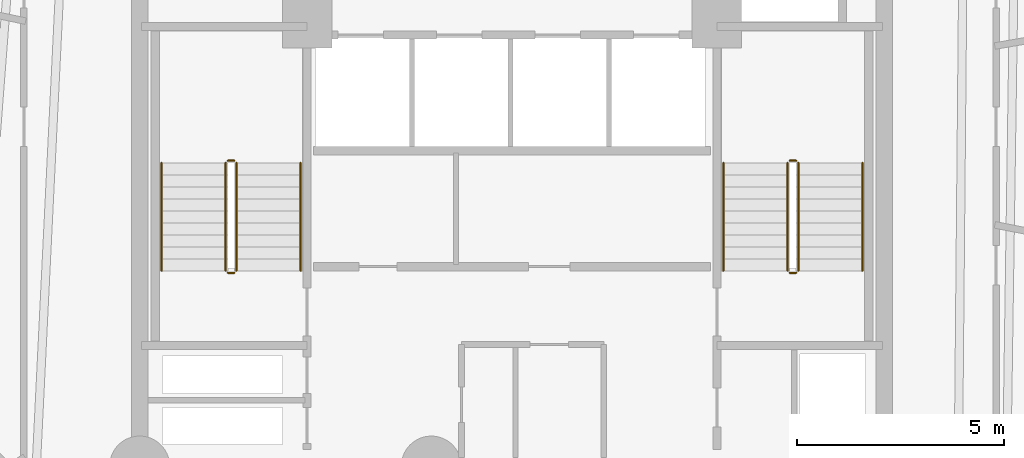
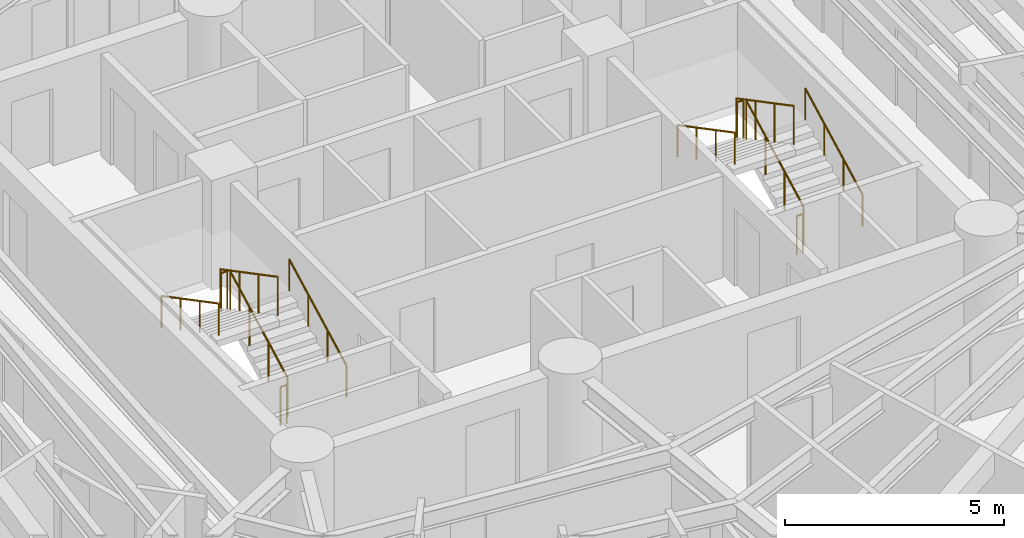
# One storey, part 8 of 8: 12 railings.
"""IFC4 building model written with IfcOpenShell, lengths in metres."""

import ifcopenshell
import ifcopenshell.guid

model = None  # the IFC model being written
_history = None  # IfcOwnerHistory: only IFC2X3 demands one
_inside = {}  # id of a spatial element -> (the spatial element, [elements in it])
_under = {}  # id of a project, library or spatial element -> (it, [spatial elements below it])
_declared = {}  # id of a project -> (the project, [libraries it declares])
_typed = {}  # id of a type object -> (the type object, [elements of that type])
_made_of = {}  # id of a material, layer set ... -> (it, [elements and type objects made of it])


def new_model(schema):
    """Start an empty IFC model of exactly this schema.

    Asked for "IFC4X3", IfcOpenShell would pick the latest addendum, in which some entities
    have other attributes; the version numbers below select the first issue.
    IFC2X3 requires an IfcOwnerHistory on every rooted entity: one is made here for all.
    """
    global model, _history
    if schema == "IFC4X3":
        model = ifcopenshell.file(schema_version=(4, 3, 0, 0))
    else:
        model = ifcopenshell.file(schema=schema)
    _inside.clear()
    _under.clear()
    _declared.clear()
    _typed.clear()
    _made_of.clear()
    _history = None
    if model.schema == "IFC2X3":
        org = make("IfcOrganization", Name="unknown")
        user = make(
            "IfcPersonAndOrganization",
            ThePerson=make("IfcPerson", FamilyName="unknown"),
            TheOrganization=org,
        )
        app = make(
            "IfcApplication",
            ApplicationDeveloper=org,
            Version="unknown",
            ApplicationFullName="unknown",
            ApplicationIdentifier="unknown",
        )
        _history = make(
            "IfcOwnerHistory",
            OwningUser=user,
            OwningApplication=app,
            ChangeAction="ADDED",
            CreationDate=0,
        )
    return model


def make(cls, **values):
    """One entity of the class cls with the attributes given. An attribute that is None is left unset."""
    return model.create_entity(
        cls, **{name: value for name, value in values.items() if value is not None}
    )


def rooted(cls, **values):
    """An entity with a GlobalId (a new one), such as an element, a storey or a relation."""
    return make(cls, GlobalId=ifcopenshell.guid.new(), OwnerHistory=_history, **values)


def si_unit(unit_type, name, prefix=None):
    """IfcSIUnit, for example si_unit("LENGTHUNIT", "METRE", prefix="MILLI")."""
    return make("IfcSIUnit", UnitType=unit_type, Prefix=prefix, Name=name)


def assignment(units):
    """IfcUnitAssignment: the units of a project."""
    return None if units is None else make("IfcUnitAssignment", Units=units)


def point(xyz):
    """IfcCartesianPoint."""
    return None if xyz is None else make("IfcCartesianPoint", Coordinates=xyz)


def direction(xyz):
    """IfcDirection."""
    return None if xyz is None else make("IfcDirection", DirectionRatios=xyz)


def frame(location, z_axis=None, x_axis=None):
    """IfcAxis2Placement3D, a coordinate frame: its origin and axes. An axis left out is left unset."""
    return make(
        "IfcAxis2Placement3D",
        Location=point(location),
        Axis=direction(z_axis),
        RefDirection=direction(x_axis),
    )


def frame_2d(location, x_axis=None):
    """IfcAxis2Placement2D, a coordinate frame in the plane: its origin and x axis."""
    return make(
        "IfcAxis2Placement2D", Location=point(location), RefDirection=direction(x_axis)
    )


def origin():
    """The frame at (0, 0, 0) with its axes left unset."""
    return frame((0.0, 0.0, 0.0))


def origin_2d():
    """The frame at (0, 0) in the plane with its x axis left unset."""
    return frame_2d((0.0, 0.0))


def place(relative_to, where):
    """IfcLocalPlacement: puts the frame where relative to a parent placement (None: the world)."""
    return make(
        "IfcLocalPlacement", PlacementRelTo=relative_to, RelativePlacement=where
    )


def context(
    kind, dimensions, precision=None, world=None, true_north=None, identifier=None
):
    """IfcGeometricRepresentationContext, for example the 3D "Model" context."""
    return make(
        "IfcGeometricRepresentationContext",
        ContextIdentifier=identifier,
        ContextType=kind,
        CoordinateSpaceDimension=dimensions,
        Precision=precision,
        WorldCoordinateSystem=world,
        TrueNorth=true_north,
    )


def subcontext(parent, identifier, kind, view, scale=None):
    """IfcGeometricRepresentationSubContext, for example "Body" below "Model"."""
    return make(
        "IfcGeometricRepresentationSubContext",
        ContextIdentifier=identifier,
        ContextType=kind,
        ParentContext=parent,
        TargetScale=scale,
        TargetView=view,
    )


def project(units=None, contexts=None):
    """IfcProject with its units and contexts."""
    return rooted(
        "IfcProject",
        Name="project",
        RepresentationContexts=contexts,
        UnitsInContext=assignment(units),
    )


def spatial(cls, under=None, at=None, **own):
    """A site, building, storey or space (cls), placed at a placement, below another one or the project."""
    s = rooted(cls, ObjectPlacement=at, **own)
    if under is not None:
        _under.setdefault(under.id(), (under, []))[1].append(s)
    return s


def profile(cls, at=None, kind="AREA", **sizes):
    """A parametric profile (cls). Its sizes go by their IFC names, for example OverallWidth=200.0."""
    return make(cls, ProfileType=kind, Position=at, **sizes)


def circle(**sizes):
    """IfcCircleProfileDef."""
    return profile("IfcCircleProfileDef", **sizes)


def extrude(swept, where, along, depth):
    """IfcExtrudedAreaSolid: the profile swept, set in the frame where, extruded along a direction by depth."""
    return make(
        "IfcExtrudedAreaSolid",
        SweptArea=swept,
        Position=where,
        ExtrudedDirection=direction(along),
        Depth=depth,
    )


def shape(context_of_items, identifier, shape_type, items):
    """IfcShapeRepresentation: the items that make up one representation, for example the "Body"."""
    return make(
        "IfcShapeRepresentation",
        ContextOfItems=context_of_items,
        RepresentationIdentifier=identifier,
        RepresentationType=shape_type,
        Items=items,
    )


def material(Name=None, Category=None):
    """IfcMaterial."""
    return make("IfcMaterial", Name=Name, Category=Category)


def layer(
    of_material, thickness, ventilated=None, Name=None, Category=None, Priority=None
):
    """IfcMaterialLayer: one layer of a wall or slab, of a material (None: an air gap)."""
    return make(
        "IfcMaterialLayer",
        Material=of_material,
        LayerThickness=thickness,
        IsVentilated=ventilated,
        Name=Name,
        Category=Category,
        Priority=Priority,
    )


def layer_set(layers, Name=None):
    """IfcMaterialLayerSet."""
    return make("IfcMaterialLayerSet", MaterialLayers=layers, LayerSetName=Name)


def made_of(thing, what):
    """Note that an element or type object is made of a material, layer set ...; save() writes the relation."""
    if what is not None:
        _made_of.setdefault(what.id(), (what, []))[1].append(thing)
    return thing


def type_object(cls, material=None, **own):
    """A type object (cls), such as IfcWallType, which elements share."""
    return made_of(rooted(cls, **own), material)


def element(
    cls,
    number,
    at=None,
    inside=None,
    cuts=None,
    type_object=None,
    material=None,
    context=None,
    identifier="Body",
    shape_type=None,
    held_by="IfcProductDefinitionShape",
    body=None,
    shapes=None,
    **own,
):
    """One element of the class cls, such as IfcWall. Its Tag is "e" and its number.

    at: its placement. inside: the storey or other place that contains it. cuts: it is an
    opening in that element (IfcRelVoidsElement). A single representation is given by context,
    identifier, shape_type and body (its items); several are given by shapes. held_by: the class
    of the entity that holds the representations. save() writes the other relations.
    """
    e = rooted(cls, Tag="e%d" % number, ObjectPlacement=at, **own)
    if body is not None:
        shapes = [shape(context, identifier, shape_type, body)]
    if shapes is not None:
        e.Representation = make(held_by, Representations=shapes)
    if inside is not None:
        _inside.setdefault(inside.id(), (inside, []))[1].append(e)
    if cuts is not None:
        rooted(
            "IfcRelVoidsElement", RelatingBuildingElement=cuts, RelatedOpeningElement=e
        )
    if type_object is not None:
        _typed.setdefault(type_object.id(), (type_object, []))[1].append(e)
    return made_of(e, material)


def aggregate(whole, parts):
    """IfcRelAggregates: a whole, such as a stair, and the parts it consists of."""
    return rooted("IfcRelAggregates", RelatingObject=whole, RelatedObjects=parts)


def save(model, path):
    """Write the relations noted so far, then the file.

    IfcRelAggregates (storeys below a building ...), IfcRelContainedInSpatialStructure (elements
    in a storey), IfcRelDefinesByType, IfcRelAssociatesMaterial and IfcRelDeclares: one each for
    every whole, place, type object, material and project.
    """
    for whole, parts in _under.values():
        aggregate(whole, parts)
    for where, things in _inside.values():
        rooted(
            "IfcRelContainedInSpatialStructure",
            RelatedElements=things,
            RelatingStructure=where,
        )
    for kind, things in _typed.values():
        rooted("IfcRelDefinesByType", RelatedObjects=things, RelatingType=kind)
    for what, things in _made_of.values():
        rooted("IfcRelAssociatesMaterial", RelatedObjects=things, RelatingMaterial=what)
    for by, libraries in _declared.values():
        rooted("IfcRelDeclares", RelatingContext=by, RelatedDefinitions=libraries)
    model.write(path)


model = new_model("IFC4")

# Units and contexts
model_context = context("Model", 3, precision=1e-05, world=origin(), true_north=direction((0.0, 1.0)))
body_context = subcontext(model_context, "Body", "Model", "MODEL_VIEW")
ifc_project = project(units=[si_unit("LENGTHUNIT", "METRE"), si_unit("AREAUNIT", "SQUARE_METRE"), si_unit("VOLUMEUNIT", "CUBIC_METRE"), si_unit("PLANEANGLEUNIT", "RADIAN"), si_unit("MASSUNIT", "GRAM", prefix="KILO")], contexts=[model_context])

# Site, building, storey
site_placement = place(None, origin())
site = spatial("IfcSite", under=ifc_project, at=site_placement, CompositionType="ELEMENT")
building_placement = place(site_placement, origin())
building = spatial("IfcBuilding", under=site, at=building_placement, Name="Karkom Vertical University and Central Library", CompositionType="ELEMENT")
storey_placement = place(building_placement, frame((0.0, 0.0, 117.550048828125)))
storey = spatial("IfcBuildingStorey", under=building, at=storey_placement, Name="L32", CompositionType="ELEMENT", Elevation=117.550048828125)

# Railings
ifc_material_1 = material(Name="Painted galvanised steel balustrade", Category="steel")
ifc_layer_1 = layer(ifc_material_1, 0.06005859375)
ifc_layer_set_1 = layer_set([ifc_layer_1], Name="Painted galvanised steel balustrade")
railing_type_1 = type_object("IfcRailingType", Name="INT-RL-GUARD1100", PredefinedType="GUARDRAIL", material=ifc_layer_set_1)
railing_1_placement = place(storey_placement, frame((21.840087890625, 23.02001953125, 0.15234375)))
element("IfcRailing", 1, at=railing_1_placement, inside=storey, type_object=railing_type_1, Name="Level 32 ST-1 stair guard 1", PredefinedType="GUARDRAIL", context=body_context, shape_type="SweptSolid", body=[
    extrude(circle(Radius=0.02392578125, at=origin_2d()), frame((0.0, 0.0, 1.076171875), z_axis=(0.0, 0.885065446896, 0.46546659892), x_axis=(-1.0, 0.0, 0.0)), (0.0, 0.0, 1.0), 2.94873046875),
    extrude(circle(Radius=0.02099609375, at=origin_2d()), origin(), (0.0, 0.0, 1.0), 1.052001953125),
    extrude(circle(Radius=0.02099609375, at=origin_2d()), frame((0.0, 0.869873046875, 0.45751953125)), (0.0, 0.0, 1.0), 1.052001953125),
    extrude(circle(Radius=0.02099609375, at=origin_2d()), frame((0.0, 1.739990234375, 0.9150390625)), (0.0, 0.0, 1.0), 1.052001953125),
    extrude(circle(Radius=0.02099609375, at=origin_2d()), frame((0.0, 2.60986328125, 1.37255859375)), (0.0, 0.0, 1.0), 1.052001953125),
])
railing_2_placement = place(storey_placement, frame((21.7900390625, 25.679931640625, 1.52490234375)))
element("IfcRailing", 2, at=railing_2_placement, inside=storey, type_object=railing_type_1, Name="Level 32 ST-1 stair guard 2", PredefinedType="GUARDRAIL", context=body_context, shape_type="SweptSolid", body=[
    extrude(circle(Radius=0.02392578125, at=origin_2d()), frame((0.0, 0.0, 1.076171875), z_axis=(-1.0, 0.0, 0.0), x_axis=(0.0, -1.0, 0.0)), (0.0, 0.0, 1.0), 0.16015625),
    extrude(circle(Radius=0.02099609375, at=origin_2d()), origin(), (0.0, 0.0, 1.0), 1.052001953125),
    extrude(circle(Radius=0.02099609375, at=origin_2d()), frame((-0.16015625, 0.0, 0.0)), (0.0, 0.0, 1.0), 1.052001953125),
])
railing_3_placement = place(storey_placement, frame((21.580078125, 25.6298828125, 1.677490234375)))
element("IfcRailing", 3, at=railing_3_placement, inside=storey, type_object=railing_type_1, Name="Level 32 ST-1 stair guard 3", PredefinedType="GUARDRAIL", context=body_context, shape_type="SweptSolid", body=[
    extrude(circle(Radius=0.02392578125, at=origin_2d()), frame((0.0, 0.0, 1.076171875), z_axis=(0.0, -0.885065446896, 0.46546659892), x_axis=(1.0, 0.0, 0.0)), (0.0, 0.0, 1.0), 2.94873046875),
    extrude(circle(Radius=0.02099609375, at=origin_2d()), origin(), (0.0, 0.0, 1.0), 1.052001953125),
    extrude(circle(Radius=0.02099609375, at=origin_2d()), frame((0.0, -0.869873046875, 0.45751953125)), (0.0, 0.0, 1.0), 1.052001953125),
    extrude(circle(Radius=0.02099609375, at=origin_2d()), frame((0.0, -1.739990234375, 0.9150390625)), (0.0, 0.0, 1.0), 1.052001953125),
    extrude(circle(Radius=0.02099609375, at=origin_2d()), frame((0.0, -2.60986328125, 1.37255859375)), (0.0, 0.0, 1.0), 1.052001953125),
])
railing_4_placement = place(storey_placement, frame((21.7900390625, 22.969970703125, 0.0)))
element("IfcRailing", 4, at=railing_4_placement, inside=storey, type_object=railing_type_1, Name="Level 32 ST-1 stair guard 4", PredefinedType="GUARDRAIL", context=body_context, shape_type="SweptSolid", body=[
    extrude(circle(Radius=0.02392578125, at=origin_2d()), frame((0.0, 0.0, 1.076171875), z_axis=(-1.0, 0.0, 0.0), x_axis=(0.0, -1.0, 0.0)), (0.0, 0.0, 1.0), 0.16015625),
    extrude(circle(Radius=0.02099609375, at=origin_2d()), origin(), (0.0, 0.0, 1.0), 1.052001953125),
    extrude(circle(Radius=0.02099609375, at=origin_2d()), frame((-0.16015625, 0.0, 0.0)), (0.0, 0.0, 1.0), 1.052001953125),
])
railing_5_placement = place(storey_placement, frame((35.419921875, 23.02001953125, 0.15234375)))
element("IfcRailing", 5, at=railing_5_placement, inside=storey, type_object=railing_type_1, Name="Level 32 ST-2 stair guard 1", PredefinedType="GUARDRAIL", context=body_context, shape_type="SweptSolid", body=[
    extrude(circle(Radius=0.02392578125, at=origin_2d()), frame((0.0, 0.0, 1.076171875), z_axis=(0.0, 0.885065446896, 0.46546659892), x_axis=(-1.0, 0.0, 0.0)), (0.0, 0.0, 1.0), 2.94873046875),
    extrude(circle(Radius=0.02099609375, at=origin_2d()), origin(), (0.0, 0.0, 1.0), 1.052001953125),
    extrude(circle(Radius=0.02099609375, at=origin_2d()), frame((0.0, 0.869873046875, 0.45751953125)), (0.0, 0.0, 1.0), 1.052001953125),
    extrude(circle(Radius=0.02099609375, at=origin_2d()), frame((0.0, 1.739990234375, 0.9150390625)), (0.0, 0.0, 1.0), 1.052001953125),
    extrude(circle(Radius=0.02099609375, at=origin_2d()), frame((0.0, 2.60986328125, 1.37255859375)), (0.0, 0.0, 1.0), 1.052001953125),
])
railing_6_placement = place(storey_placement, frame((35.3701171875, 25.679931640625, 1.52490234375)))
element("IfcRailing", 6, at=railing_6_placement, inside=storey, type_object=railing_type_1, Name="Level 32 ST-2 stair guard 2", PredefinedType="GUARDRAIL", context=body_context, shape_type="SweptSolid", body=[
    extrude(circle(Radius=0.02392578125, at=origin_2d()), frame((0.0, 0.0, 1.076171875), z_axis=(-1.0, 0.0, 0.0), x_axis=(0.0, -1.0, 0.0)), (0.0, 0.0, 1.0), 0.16015625),
    extrude(circle(Radius=0.02099609375, at=origin_2d()), origin(), (0.0, 0.0, 1.0), 1.052001953125),
    extrude(circle(Radius=0.02099609375, at=origin_2d()), frame((-0.16015625, 0.0, 0.0)), (0.0, 0.0, 1.0), 1.052001953125),
])
railing_7_placement = place(storey_placement, frame((35.159912109375, 25.6298828125, 1.677490234375)))
element("IfcRailing", 7, at=railing_7_placement, inside=storey, type_object=railing_type_1, Name="Level 32 ST-2 stair guard 3", PredefinedType="GUARDRAIL", context=body_context, shape_type="SweptSolid", body=[
    extrude(circle(Radius=0.02392578125, at=origin_2d()), frame((0.0, 0.0, 1.076171875), z_axis=(0.0, -0.885065446896, 0.46546659892), x_axis=(1.0, 0.0, 0.0)), (0.0, 0.0, 1.0), 2.94873046875),
    extrude(circle(Radius=0.02099609375, at=origin_2d()), origin(), (0.0, 0.0, 1.0), 1.052001953125),
    extrude(circle(Radius=0.02099609375, at=origin_2d()), frame((0.0, -0.869873046875, 0.45751953125)), (0.0, 0.0, 1.0), 1.052001953125),
    extrude(circle(Radius=0.02099609375, at=origin_2d()), frame((0.0, -1.739990234375, 0.9150390625)), (0.0, 0.0, 1.0), 1.052001953125),
    extrude(circle(Radius=0.02099609375, at=origin_2d()), frame((0.0, -2.60986328125, 1.37255859375)), (0.0, 0.0, 1.0), 1.052001953125),
])
railing_8_placement = place(storey_placement, frame((35.3701171875, 22.969970703125, 0.0)))
element("IfcRailing", 8, at=railing_8_placement, inside=storey, type_object=railing_type_1, Name="Level 32 ST-2 stair guard 4", PredefinedType="GUARDRAIL", context=body_context, shape_type="SweptSolid", body=[
    extrude(circle(Radius=0.02392578125, at=origin_2d()), frame((0.0, 0.0, 1.076171875), z_axis=(-1.0, 0.0, 0.0), x_axis=(0.0, -1.0, 0.0)), (0.0, 0.0, 1.0), 0.16015625),
    extrude(circle(Radius=0.02099609375, at=origin_2d()), origin(), (0.0, 0.0, 1.0), 1.052001953125),
    extrude(circle(Radius=0.02099609375, at=origin_2d()), frame((-0.16015625, 0.0, 0.0)), (0.0, 0.0, 1.0), 1.052001953125),
])
ifc_material_2 = material(Name="Brushed stainless-steel tubular handrail", Category="steel")
ifc_layer_2 = layer(ifc_material_2, 0.048095703125)
ifc_layer_set_2 = layer_set([ifc_layer_2], Name="Brushed stainless-steel tubular handrail")
railing_type_2 = type_object("IfcRailingType", Name="INT-RL-HAND920", PredefinedType="HANDRAIL", material=ifc_layer_set_2)
railing_9_placement = place(storey_placement, frame((23.389892578125, 23.02001953125, 0.15234375)))
element("IfcRailing", 9, at=railing_9_placement, inside=storey, type_object=railing_type_2, Name="Level 32 ST-1 stair handrail 1", PredefinedType="HANDRAIL", context=body_context, shape_type="SweptSolid", body=[
    extrude(circle(Radius=0.02392578125, at=origin_2d()), frame((0.0, 0.0, 0.8759765625), z_axis=(0.0, 0.885065446896, 0.46546659892), x_axis=(-1.0, 0.0, 0.0)), (0.0, 0.0, 1.0), 2.94873046875),
    extrude(circle(Radius=0.02099609375, at=origin_2d()), origin(), (0.0, 0.0, 1.0), 0.851806640625),
    extrude(circle(Radius=0.02099609375, at=origin_2d()), frame((0.0, 0.869873046875, 0.45751953125)), (0.0, 0.0, 1.0), 0.851806640625),
    extrude(circle(Radius=0.02099609375, at=origin_2d()), frame((0.0, 1.739990234375, 0.9150390625)), (0.0, 0.0, 1.0), 0.851806640625),
    extrude(circle(Radius=0.02099609375, at=origin_2d()), frame((0.0, 2.60986328125, 1.37255859375)), (0.0, 0.0, 1.0), 0.851806640625),
])
railing_10_placement = place(storey_placement, frame((20.030029296875, 25.6298828125, 1.677490234375)))
element("IfcRailing", 10, at=railing_10_placement, inside=storey, type_object=railing_type_2, Name="Level 32 ST-1 stair handrail 2", PredefinedType="HANDRAIL", context=body_context, shape_type="SweptSolid", body=[
    extrude(circle(Radius=0.02392578125, at=origin_2d()), frame((0.0, 0.0, 0.8759765625), z_axis=(0.0, -0.885065446896, 0.46546659892), x_axis=(1.0, 0.0, 0.0)), (0.0, 0.0, 1.0), 2.94873046875),
    extrude(circle(Radius=0.02099609375, at=origin_2d()), origin(), (0.0, 0.0, 1.0), 0.851806640625),
    extrude(circle(Radius=0.02099609375, at=origin_2d()), frame((0.0, -0.869873046875, 0.45751953125)), (0.0, 0.0, 1.0), 0.851806640625),
    extrude(circle(Radius=0.02099609375, at=origin_2d()), frame((0.0, -1.739990234375, 0.9150390625)), (0.0, 0.0, 1.0), 0.851806640625),
    extrude(circle(Radius=0.02099609375, at=origin_2d()), frame((0.0, -2.60986328125, 1.37255859375)), (0.0, 0.0, 1.0), 0.851806640625),
])
railing_11_placement = place(storey_placement, frame((36.969970703125, 23.02001953125, 0.15234375)))
element("IfcRailing", 11, at=railing_11_placement, inside=storey, type_object=railing_type_2, Name="Level 32 ST-2 stair handrail 1", PredefinedType="HANDRAIL", context=body_context, shape_type="SweptSolid", body=[
    extrude(circle(Radius=0.02392578125, at=origin_2d()), frame((0.0, 0.0, 0.8759765625), z_axis=(0.0, 0.885065446896, 0.46546659892), x_axis=(-1.0, 0.0, 0.0)), (0.0, 0.0, 1.0), 2.94873046875),
    extrude(circle(Radius=0.02099609375, at=origin_2d()), origin(), (0.0, 0.0, 1.0), 0.851806640625),
    extrude(circle(Radius=0.02099609375, at=origin_2d()), frame((0.0, 0.869873046875, 0.45751953125)), (0.0, 0.0, 1.0), 0.851806640625),
    extrude(circle(Radius=0.02099609375, at=origin_2d()), frame((0.0, 1.739990234375, 0.9150390625)), (0.0, 0.0, 1.0), 0.851806640625),
    extrude(circle(Radius=0.02099609375, at=origin_2d()), frame((0.0, 2.60986328125, 1.37255859375)), (0.0, 0.0, 1.0), 0.851806640625),
])
railing_12_placement = place(storey_placement, frame((33.610107421875, 25.6298828125, 1.677490234375)))
element("IfcRailing", 12, at=railing_12_placement, inside=storey, type_object=railing_type_2, Name="Level 32 ST-2 stair handrail 2", PredefinedType="HANDRAIL", context=body_context, shape_type="SweptSolid", body=[
    extrude(circle(Radius=0.02392578125, at=origin_2d()), frame((0.0, 0.0, 0.8759765625), z_axis=(0.0, -0.885065446896, 0.46546659892), x_axis=(1.0, 0.0, 0.0)), (0.0, 0.0, 1.0), 2.94873046875),
    extrude(circle(Radius=0.02099609375, at=origin_2d()), origin(), (0.0, 0.0, 1.0), 0.851806640625),
    extrude(circle(Radius=0.02099609375, at=origin_2d()), frame((0.0, -0.869873046875, 0.45751953125)), (0.0, 0.0, 1.0), 0.851806640625),
    extrude(circle(Radius=0.02099609375, at=origin_2d()), frame((0.0, -1.739990234375, 0.9150390625)), (0.0, 0.0, 1.0), 0.851806640625),
    extrude(circle(Radius=0.02099609375, at=origin_2d()), frame((0.0, -2.60986328125, 1.37255859375)), (0.0, 0.0, 1.0), 0.851806640625),
])

save(model, "model.ifc")
